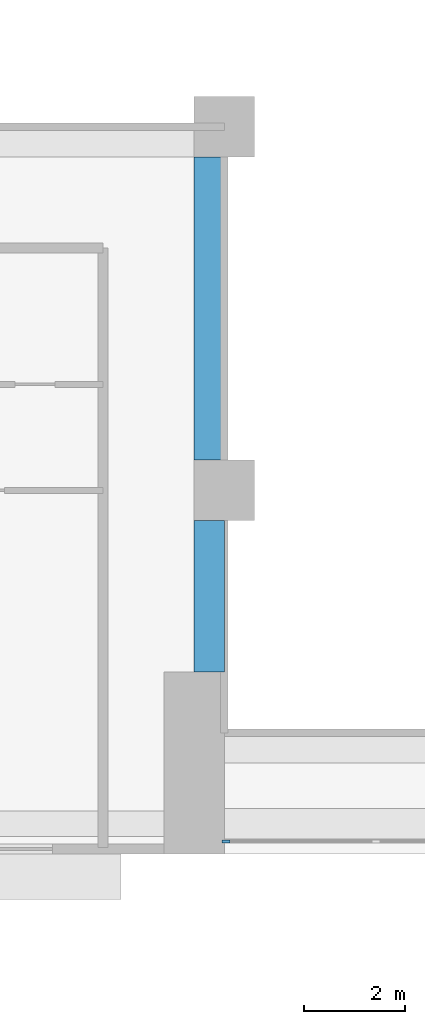
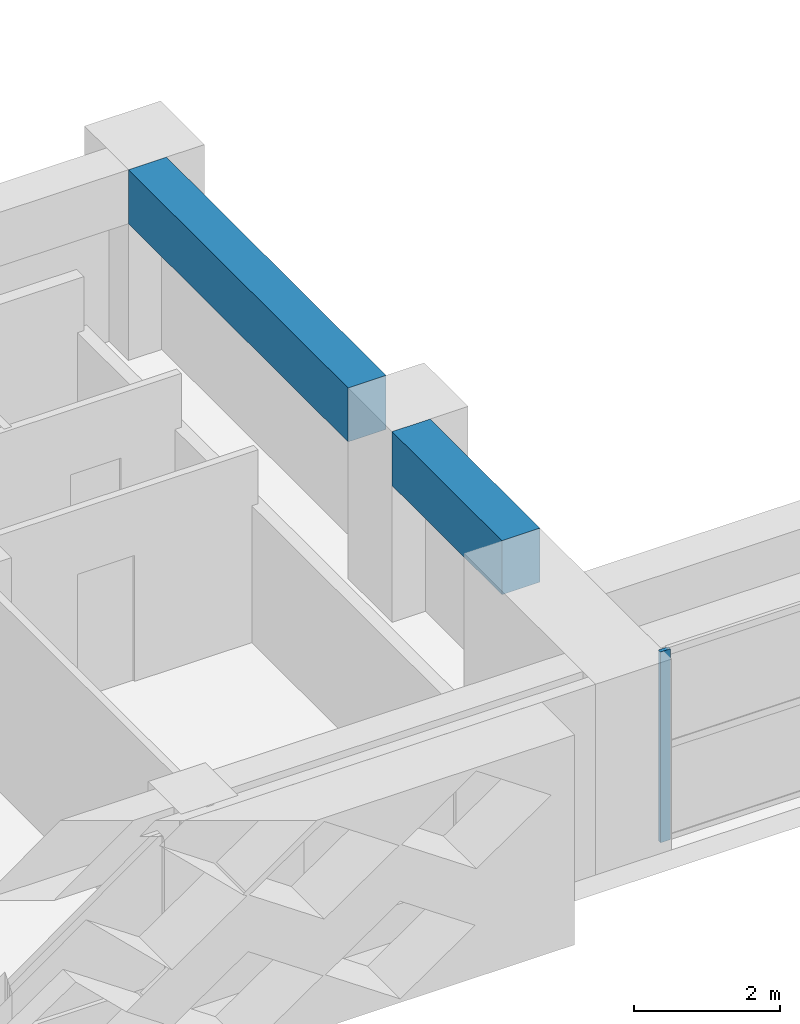
# One storey, part 2 of 17: 2 beams, 1 member, 1 element without a shape of its own.
"""IFC4 building model written with IfcOpenShell, lengths in metres."""

from ifc_helpers import new_model, si_unit, direction, frame, origin, origin_2d, place, context, subcontext, project, spatial, rectangle, extrude, source, transform, mapped, material, layer, layer_set, material_profile, profile_set, type_object, element, aggregate, save


model = new_model("IFC4")

# Units and contexts
model_context = context("Model", 3, precision=1e-05, world=origin(), true_north=direction((0.0, 1.0)))
body_context = subcontext(model_context, "Body", "Model", "MODEL_VIEW")
ifc_project = project(units=[si_unit("LENGTHUNIT", "METRE"), si_unit("AREAUNIT", "SQUARE_METRE"), si_unit("VOLUMEUNIT", "CUBIC_METRE"), si_unit("PLANEANGLEUNIT", "RADIAN"), si_unit("MASSUNIT", "GRAM", prefix="KILO")], contexts=[model_context])

# Site, building, storey
site_placement = place(None, origin())
site = spatial("IfcSite", under=ifc_project, at=site_placement, CompositionType="ELEMENT")
building_placement = place(site_placement, origin())
building = spatial("IfcBuilding", under=site, at=building_placement, Name="Saffron Iwan Residences", CompositionType="ELEMENT")
storey_placement = place(building_placement, frame((0.0, 0.0, 93.5)))
storey = spatial("IfcBuildingStorey", under=building, at=storey_placement, Name="L24", CompositionType="ELEMENT", Elevation=93.5)

# Beams
ifc_material_1 = material(Name="Concrete C60/75", Category="concrete")
ifc_material_profile_1 = material_profile(ifc_material_1, rectangle(XDim=0.60009765625, YDim=0.89990234375, at=origin_2d()), Name="RC 600x900")
ifc_profile_set_1 = profile_set([ifc_material_profile_1], Name="Concrete C60/75")
beam_type = type_object("IfcBeamType", Name="BEAM RC 600x900 C60/75 TOP 3180", PredefinedType="BEAM", material=ifc_profile_set_1)
shared_shape_1 = source(origin(), body_context, "Body", "SweptSolid", [
    extrude(rectangle(XDim=0.60009765625, YDim=0.89990234375, at=origin_2d()), origin(), (0.0, 0.0, 1.0), 3.0),
])
beam_1_placement = place(storey_placement, frame((42.89990234375, 37.199951171875, 2.72998046875), z_axis=(0.0, 1.0, 0.0), x_axis=(-1.0, 0.0, 0.0)))
element("IfcBeam", 1, at=beam_1_placement, inside=storey, type_object=beam_type, Name="Atrium edge beam", PredefinedType="BEAM", context=body_context, shape_type="MappedRepresentation", body=[
    mapped(shared_shape_1, transform((0.0, 0.0, 0.0))),
])
shared_shape_2 = source(origin(), body_context, "Body", "SweptSolid", [
    extrude(rectangle(XDim=0.60009765625, YDim=0.89990234375, at=origin_2d()), origin(), (0.0, 0.0, 1.0), 6.0),
])
beam_2_placement = place(storey_placement, frame((42.89990234375, 41.39990234375, 2.72998046875), z_axis=(0.0, 1.0, 0.0), x_axis=(-1.0, 0.0, 0.0)))
element("IfcBeam", 2, at=beam_2_placement, inside=storey, type_object=beam_type, Name="Atrium edge beam", PredefinedType="BEAM", context=body_context, shape_type="MappedRepresentation", body=[
    mapped(shared_shape_2, transform((0.0, 0.0, 0.0))),
])

# Curtain wall, member
ifc_material_2 = material(Name="Clear glass, laminated double glazed", Category="glass")
ifc_layer = layer(ifc_material_2, 0.199951171875)
ifc_layer_set = layer_set([ifc_layer], Name="Clear glass, laminated double glazed")
curtain_wall_type = type_object("IfcCurtainWallType", Name="CW-B IWAN PORTAL", PredefinedType="NOTDEFINED", material=ifc_layer_set)
curtain_wall_placement = place(storey_placement, origin())
curtain_wall = element("IfcCurtainWall", 3, at=curtain_wall_placement, inside=storey, type_object=curtain_wall_type, Name="Iwan portal glazing L24.1", PredefinedType="NOTDEFINED")
ifc_material_3 = material(Name="Aluminium 6063-T6", Category="aluminium")
ifc_material_profile_2 = material_profile(ifc_material_3, rectangle(XDim=0.06005859375, YDim=0.159912109375, at=origin_2d()), Name="CW-B MULLION 60 x 160")
ifc_profile_set_2 = profile_set([ifc_material_profile_2], Name="Aluminium 6063-T6")
member_type = type_object("IfcMemberType", Name="CW-B MULLION 60 x 160", PredefinedType="MULLION", material=ifc_profile_set_2)
shared_shape_3 = source(origin(), body_context, "Body", "SweptSolid", [
    extrude(rectangle(XDim=0.06005859375, YDim=0.159912109375, at=origin_2d()), origin(), (0.0, 0.0, 1.0), 3.179931640625),
])
member_placement = place(storey_placement, frame((43.22998046875, 33.85009765625, 0.0), z_axis=(0.0, 0.0, 1.0), x_axis=(0.0, 1.0, 0.0)))
member = element("IfcMember", 4, at=member_placement, type_object=member_type, Name="CW-B mullion 1", PredefinedType="MULLION", context=body_context, shape_type="MappedRepresentation", body=[
    mapped(shared_shape_3, transform((0.0, 0.0, 0.0))),
])
aggregate(curtain_wall, [member])

save(model, "model.ifc")
